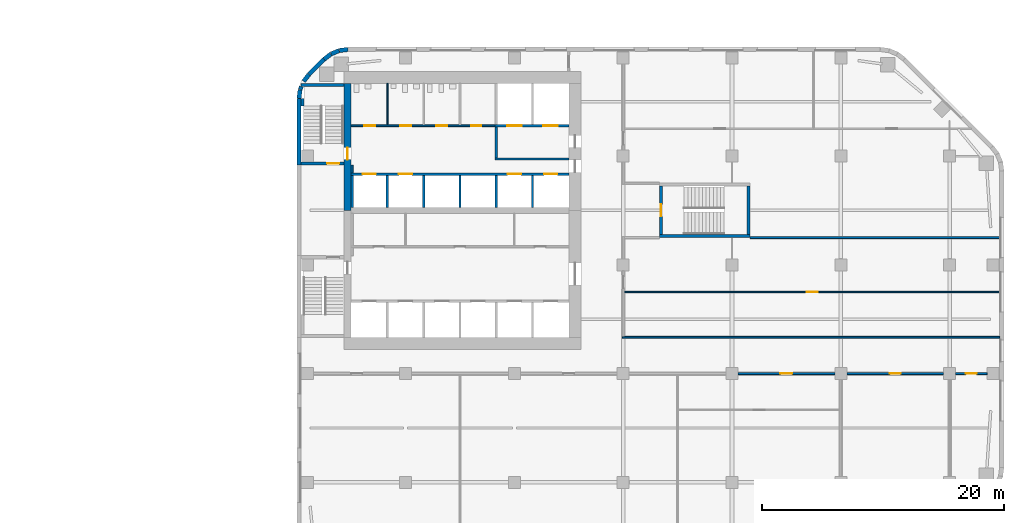
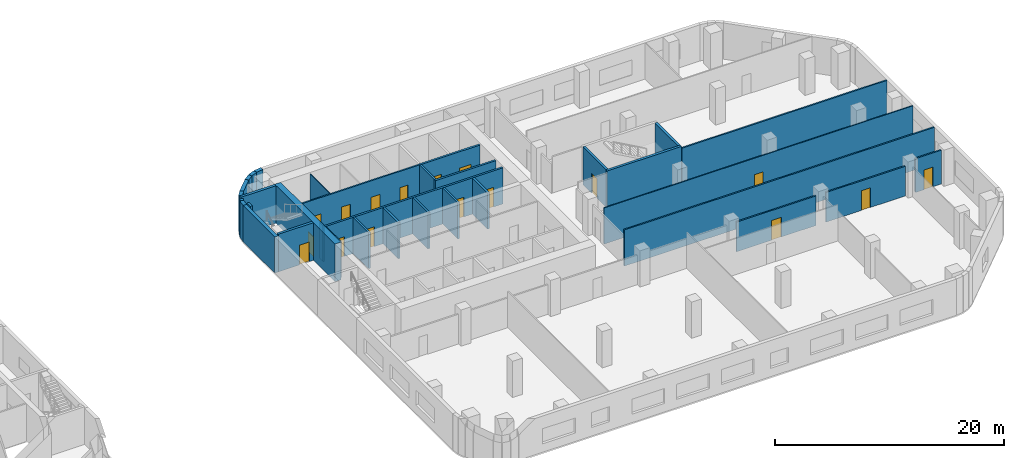
# One storey, part 10 of 15: 34 walls, 17 doors, 17 openings.
"""IFC4 building model written with IfcOpenShell, lengths in metres."""

from ifc_helpers import new_model, si_unit, direction, frame, frame_2d, origin, place, context, subcontext, project, spatial, rectangle, extrude, material, layer, layer_set, type_object, element, fill, save


model = new_model("IFC4")

# Units and contexts
model_context = context("Model", 3, precision=1e-05, world=origin(), true_north=direction((0.0, 1.0)))
body_context = subcontext(model_context, "Body", "Model", "MODEL_VIEW")
ifc_project = project(units=[si_unit("LENGTHUNIT", "METRE"), si_unit("AREAUNIT", "SQUARE_METRE"), si_unit("VOLUMEUNIT", "CUBIC_METRE"), si_unit("PLANEANGLEUNIT", "RADIAN"), si_unit("MASSUNIT", "GRAM", prefix="KILO")], contexts=[model_context])

# Site, building, storey
site_placement = place(None, origin())
site = spatial("IfcSite", under=ifc_project, at=site_placement, CompositionType="ELEMENT")
building_placement = place(site_placement, origin())
building = spatial("IfcBuilding", under=site, at=building_placement, Name="Cinnabar Reach Civic Tower", CompositionType="ELEMENT")
storey_placement = place(building_placement, frame((0.0, 0.0, 51.0)))
storey = spatial("IfcBuildingStorey", under=building, at=storey_placement, Name="L11", CompositionType="ELEMENT", Elevation=51.0)

# Walls
ifc_material_1 = material(Name="Facing brick with insulated backing", Category="masonry")
ifc_layer_1 = layer(ifc_material_1, 0.36)
ifc_layer_set_1 = layer_set([ifc_layer_1], Name="Brick corner wall")
wall_type_1 = type_object("IfcWallType", Name="Brick corner wall", PredefinedType="STANDARD", material=ifc_layer_set_1)
for number, where, z_axis, x_axis, name in (
    (1, (4.2314, 44.817, 0.0), (0.0, 0.0, 1.0), (-0.99144092581, -0.13055608231, 0.0), "Brick corner wall"),
    (2, (3.5027, 44.7181, 0.0), (0.0, 0.0, 1.0), (-0.923871547278, -0.382702709855, 0.0), "Brick corner wall"),
):
    element("IfcWall", number, at=place(storey_placement, frame(where, z_axis=z_axis, x_axis=x_axis)), inside=storey, type_object=wall_type_1, Name=name, PredefinedType="STANDARD", context=body_context, shape_type="SweptSolid", body=[
        extrude(rectangle(XDim=0.7131, YDim=0.36, at=frame_2d((0.3565, 0.0))), origin(), (0.0, 0.0, 1.0), 3.85),
    ])
for number, where, z_axis, x_axis, name in (
    (3, (2.8245, 44.434, 0.0), (0.0, 0.0, 1.0), (-0.793321924995, -0.608802368033, 0.0), "Brick corner wall"),
    (4, (1.0002, 42.7413, 0.0), (0.0, 0.0, 1.0), (-0.608802368033, -0.793321924995, 0.0), "Brick corner wall"),
):
    element("IfcWall", number, at=place(storey_placement, frame(where, z_axis=z_axis, x_axis=x_axis)), inside=storey, type_object=wall_type_1, Name=name, PredefinedType="STANDARD", context=body_context, shape_type="SweptSolid", body=[
        extrude(rectangle(XDim=0.7132, YDim=0.36, at=frame_2d((0.3566, 0.0))), origin(), (0.0, 0.0, 1.0), 3.85),
    ])
wall_1_placement = place(storey_placement, frame((0.3808, 41.736, 0.0), z_axis=(0.0, 0.0, 1.0), x_axis=(-0.382773360986, -0.923842277729, 0.0)))
element("IfcWall", 5, at=wall_1_placement, inside=storey, type_object=wall_type_1, Name="Brick corner wall", PredefinedType="STANDARD", context=body_context, shape_type="SweptSolid", body=[
    extrude(rectangle(XDim=0.2584, YDim=0.36, at=frame_2d((0.1292, 0.0))), origin(), (0.0, 0.0, 1.0), 3.85),
])
wall_2_placement = place(storey_placement, frame((0.2761, 41.4756, 0.0), z_axis=(0.0, 0.0, 1.0), x_axis=(-0.13055608231, -0.99144092581, 0.0)))
element("IfcWall", 6, at=wall_2_placement, inside=storey, type_object=wall_type_1, Name="Brick corner wall", PredefinedType="STANDARD", context=body_context, shape_type="SweptSolid", body=[
    extrude(rectangle(XDim=0.7131, YDim=0.36, at=frame_2d((0.3565, 0.0))), origin(), (0.0, 0.0, 1.0), 3.85),
])
ifc_layer_2 = layer(ifc_material_1, 0.36)
ifc_layer_set_2 = layer_set([ifc_layer_2], Name="Brick pier and spandrel wall")
wall_type_2 = type_object("IfcWallType", Name="Brick pier and spandrel wall", PredefinedType="STANDARD", material=ifc_layer_set_2)
wall_3_placement = place(storey_placement, frame((2.2486, 43.994, 0.0), z_axis=(0.0, 0.0, 1.0), x_axis=(-0.707106781187, -0.707106781187, 0.0)))
element("IfcWall", 7, at=wall_3_placement, inside=storey, type_object=wall_type_2, Name="Brick facade wall", PredefinedType="STANDARD", context=body_context, shape_type="SweptSolid", body=[
    extrude(rectangle(XDim=1.7573, YDim=0.36, at=frame_2d((0.8787, 0.0))), origin(), (0.0, 0.0, 1.0), 3.85),
])
wall_4_placement = place(storey_placement, frame((0.18, 40.7574, 0.0), z_axis=(0.0, 0.0, 1.0), x_axis=(0.0, -1.0, 0.0)))
element("IfcWall", 8, at=wall_4_placement, inside=storey, type_object=wall_type_2, Name="Brick facade wall", PredefinedType="STANDARD", context=body_context, shape_type="SweptSolid", body=[
    extrude(rectangle(XDim=5.5074, YDim=0.36, at=frame_2d((2.7537, 0.0))), origin(), (0.0, 0.0, 1.0), 3.85),
])

# Wall, opening, door
ifc_material_2 = material(Name="Concrete C70", Category="concrete")
ifc_layer_3 = layer(ifc_material_2, 0.6)
ifc_layer_set_3 = layer_set([ifc_layer_3], Name="Core wall 600 EI 180")
wall_type_3 = type_object("IfcWallType", Name="Core wall 600 EI 180", PredefinedType="SOLIDWALL", material=ifc_layer_set_3)
wall_5_placement = place(storey_placement, frame((4.2, 42.0, 0.0), z_axis=(0.0, 0.0, 1.0), x_axis=(0.0, -1.0, 0.0)))
wall_5 = element("IfcWall", 9, at=wall_5_placement, inside=storey, type_object=wall_type_3, Name="Core wall T1 L11 W", PredefinedType="SOLIDWALL", context=body_context, shape_type="SweptSolid", body=[
    extrude(rectangle(XDim=10.5, YDim=0.6, at=frame_2d((5.25, 0.0))), origin(), (0.0, 0.0, 1.0), 4.0),
])
opening_1_placement = place(wall_5_placement, frame((5.3, 0.0, 0.0)))
opening_1 = element("IfcOpeningElement", 10, at=opening_1_placement, cuts=wall_5, Name="Opening D3433", PredefinedType="OPENING", context=body_context, shape_type="SweptSolid", body=[
    extrude(rectangle(XDim=1.0, YDim=2.1, at=frame_2d((0.5, 1.05))), frame((0.0, 0.31, 0.0), z_axis=(0.0, -1.0, 0.0), x_axis=(1.0, 0.0, 0.0)), (0.0, 0.0, 1.0), 0.62),
])
ifc_material_3 = material(Name="Timber door leaf in steel frame", Category="steel")
door_type_1 = type_object("IfcDoorType", Name="Stair door 1000 x 2100 T1", OperationType="SINGLE_SWING_LEFT", PredefinedType="DOOR", material=ifc_material_3)
door_1_placement = place(opening_1_placement, frame((1.0, 0.0, 0.0), z_axis=(0.0, 0.0, 1.0), x_axis=(-1.0, 0.0, 0.0)))
door_1 = element("IfcDoor", 11, at=door_1_placement, inside=storey, type_object=door_type_1, Name="Door D3433", OperationType="SINGLE_SWING_LEFT", OverallHeight=2.1, OverallWidth=1.0, PredefinedType="DOOR", context=body_context, shape_type="SweptSolid", body=[
    extrude(rectangle(XDim=1.0, YDim=2.1, at=frame_2d((0.5, 1.05))), frame((0.0, 0.025, 0.0), z_axis=(0.0, -1.0, 0.0), x_axis=(1.0, 0.0, 0.0)), (0.0, 0.0, 1.0), 0.05),
])
fill(opening_1, door_1)

ifc_material_4 = material(Name="Gypsum board on steel studs, double layer", Category="steel")
ifc_layer_4 = layer(ifc_material_4, 0.15)
ifc_layer_set_4 = layer_set([ifc_layer_4], Name="Corridor wall 150 T1")
wall_type_4 = type_object("IfcWallType", Name="Corridor wall 150 T1", PredefinedType="PARTITIONING", material=ifc_layer_set_4)
wall_6_placement = place(storey_placement, frame((54.5, 18.0, 0.0), z_axis=(0.0, 0.0, 1.0), x_axis=(1.0, 0.0, 0.0)))
wall_6 = element("IfcWall", 12, at=wall_6_placement, inside=storey, type_object=wall_type_4, Name="Corridor wall 19", PredefinedType="PARTITIONING", context=body_context, shape_type="SweptSolid", body=[
    extrude(rectangle(XDim=2.6, YDim=0.15, at=frame_2d((1.3, 0.0))), origin(), (0.0, 0.0, 1.0), 3.602),
])
opening_2_placement = place(wall_6_placement, frame((0.85, 0.0, 0.0)))
opening_2 = element("IfcOpeningElement", 13, at=opening_2_placement, cuts=wall_6, Name="Opening D3468", PredefinedType="OPENING", context=body_context, shape_type="SweptSolid", body=[
    extrude(rectangle(XDim=0.9, YDim=2.1, at=frame_2d((0.45, 1.05))), frame((0.0, 0.085, 0.0), z_axis=(0.0, -1.0, 0.0), x_axis=(1.0, 0.0, 0.0)), (0.0, 0.0, 1.0), 0.17),
])
door_type_2 = type_object("IfcDoorType", Name="Single swing door 900 x 2100 corridor T1", OperationType="SINGLE_SWING_LEFT", PredefinedType="DOOR", material=ifc_material_3)
door_2_placement = place(opening_2_placement, frame((0.9, 0.0, 0.0), z_axis=(0.0, 0.0, 1.0), x_axis=(-1.0, 0.0, 0.0)))
door_2 = element("IfcDoor", 14, at=door_2_placement, inside=storey, type_object=door_type_2, Name="Door D3468", OperationType="SINGLE_SWING_LEFT", OverallHeight=2.1, OverallWidth=0.9, PredefinedType="DOOR", context=body_context, shape_type="SweptSolid", body=[
    extrude(rectangle(XDim=0.9, YDim=2.1, at=frame_2d((0.45, 1.05))), frame((0.0, 0.025, 0.0), z_axis=(0.0, -1.0, 0.0), x_axis=(1.0, 0.0, 0.0)), (0.0, 0.0, 1.0), 0.05),
])
fill(opening_2, door_2)

wall_7_placement = place(storey_placement, frame((45.5, 18.0, 0.0), z_axis=(0.0, 0.0, 1.0), x_axis=(1.0, 0.0, 0.0)))
wall_7 = element("IfcWall", 15, at=wall_7_placement, inside=storey, type_object=wall_type_4, Name="Corridor wall 20", PredefinedType="PARTITIONING", context=body_context, shape_type="SweptSolid", body=[
    extrude(rectangle(XDim=8.0, YDim=0.15, at=frame_2d((4.0, 0.0))), origin(), (0.0, 0.0, 1.0), 3.15),
])
opening_3_placement = place(wall_7_placement, frame((3.55, 0.0, 0.0)))
opening_3 = element("IfcOpeningElement", 16, at=opening_3_placement, cuts=wall_7, Name="Opening D3467", PredefinedType="OPENING", context=body_context, shape_type="SweptSolid", body=[
    extrude(rectangle(XDim=0.9, YDim=2.1, at=frame_2d((0.45, 1.05))), frame((0.0, 0.085, 0.0), z_axis=(0.0, -1.0, 0.0), x_axis=(1.0, 0.0, 0.0)), (0.0, 0.0, 1.0), 0.17),
])
door_3_placement = place(opening_3_placement, frame((0.9, 0.0, 0.0), z_axis=(0.0, 0.0, 1.0), x_axis=(-1.0, 0.0, 0.0)))
door_3 = element("IfcDoor", 17, at=door_3_placement, inside=storey, type_object=door_type_2, Name="Door D3467", OperationType="SINGLE_SWING_LEFT", OverallHeight=2.1, OverallWidth=0.9, PredefinedType="DOOR", context=body_context, shape_type="SweptSolid", body=[
    extrude(rectangle(XDim=0.9, YDim=2.1, at=frame_2d((0.45, 1.05))), frame((0.0, 0.025, 0.0), z_axis=(0.0, -1.0, 0.0), x_axis=(1.0, 0.0, 0.0)), (0.0, 0.0, 1.0), 0.05),
])
fill(opening_3, door_3)

wall_8_placement = place(storey_placement, frame((36.5, 18.0, 0.0), z_axis=(0.0, 0.0, 1.0), x_axis=(1.0, 0.0, 0.0)))
wall_8 = element("IfcWall", 18, at=wall_8_placement, inside=storey, type_object=wall_type_4, Name="Corridor wall 21", PredefinedType="PARTITIONING", context=body_context, shape_type="SweptSolid", body=[
    extrude(rectangle(XDim=8.0, YDim=0.15, at=frame_2d((4.0, 0.0))), origin(), (0.0, 0.0, 1.0), 3.15),
])
opening_4_placement = place(wall_8_placement, frame((3.5, 0.0, 0.0)))
opening_4 = element("IfcOpeningElement", 19, at=opening_4_placement, cuts=wall_8, Name="Opening D3465", PredefinedType="OPENING", context=body_context, shape_type="SweptSolid", body=[
    extrude(rectangle(XDim=1.0, YDim=2.1, at=frame_2d((0.5, 1.05))), frame((0.0, 0.085, 0.0), z_axis=(0.0, -1.0, 0.0), x_axis=(1.0, 0.0, 0.0)), (0.0, 0.0, 1.0), 0.17),
])
door_type_3 = type_object("IfcDoorType", Name="Tenancy entrance door 1000 x 2100 T1", OperationType="SINGLE_SWING_LEFT", PredefinedType="DOOR", material=ifc_material_3)
door_4_placement = place(opening_4_placement, frame((1.0, 0.0, 0.0), z_axis=(0.0, 0.0, 1.0), x_axis=(-1.0, 0.0, 0.0)))
door_4 = element("IfcDoor", 20, at=door_4_placement, inside=storey, type_object=door_type_3, Name="Door D3465", OperationType="SINGLE_SWING_RIGHT", OverallHeight=2.1, OverallWidth=1.0, PredefinedType="DOOR", context=body_context, shape_type="SweptSolid", body=[
    extrude(rectangle(XDim=1.0, YDim=2.1, at=frame_2d((0.5, 1.05))), frame((0.0, 0.025, 0.0), z_axis=(0.0, -1.0, 0.0), x_axis=(1.0, 0.0, 0.0)), (0.0, 0.0, 1.0), 0.05),
])
fill(opening_4, door_4)

# Wall
wall_9_placement = place(storey_placement, frame((26.925, 21.0, 0.0), z_axis=(0.0, 0.0, 1.0), x_axis=(1.0, 0.0, 0.0)))
element("IfcWall", 21, at=wall_9_placement, inside=storey, type_object=wall_type_4, Name="Corridor wall 26", PredefinedType="PARTITIONING", context=body_context, shape_type="SweptSolid", body=[
    extrude(rectangle(XDim=31.215, YDim=0.15, at=frame_2d((15.6075, 0.0))), origin(), (0.0, 0.0, 1.0), 3.85),
])

# Wall, openings, doors
wall_10_placement = place(storey_placement, frame((4.5, 38.5, 0.0), z_axis=(0.0, 0.0, 1.0), x_axis=(1.0, 0.0, 0.0)))
wall_10 = element("IfcWall", 22, at=wall_10_placement, inside=storey, type_object=wall_type_4, Name="Corridor wall 28", PredefinedType="PARTITIONING", context=body_context, shape_type="SweptSolid", body=[
    extrude(rectangle(XDim=11.9, YDim=0.15, at=frame_2d((5.95, 0.0))), origin(), (0.0, 0.0, 1.0), 3.85),
])
opening_5_placement = place(wall_10_placement, frame((1.1, 0.0, 0.0)))
opening_5 = element("IfcOpeningElement", 23, at=opening_5_placement, cuts=wall_10, Name="Opening D3454", PredefinedType="OPENING", context=body_context, shape_type="SweptSolid", body=[
    extrude(rectangle(XDim=0.9, YDim=2.1, at=frame_2d((0.45, 1.05))), frame((0.0, 0.085, 0.0), z_axis=(0.0, -1.0, 0.0), x_axis=(1.0, 0.0, 0.0)), (0.0, 0.0, 1.0), 0.17),
])
opening_6_placement = place(wall_10_placement, frame((4.05, 0.0, 0.0)))
opening_6 = element("IfcOpeningElement", 24, at=opening_6_placement, cuts=wall_10, Name="Opening D3455", PredefinedType="OPENING", context=body_context, shape_type="SweptSolid", body=[
    extrude(rectangle(XDim=0.9, YDim=2.1, at=frame_2d((0.45, 1.05))), frame((0.0, 0.085, 0.0), z_axis=(0.0, -1.0, 0.0), x_axis=(1.0, 0.0, 0.0)), (0.0, 0.0, 1.0), 0.17),
])
opening_7_placement = place(wall_10_placement, frame((7.05, 0.0, 0.0)))
opening_7 = element("IfcOpeningElement", 25, at=opening_7_placement, cuts=wall_10, Name="Opening D3456", PredefinedType="OPENING", context=body_context, shape_type="SweptSolid", body=[
    extrude(rectangle(XDim=0.9, YDim=2.1, at=frame_2d((0.45, 1.05))), frame((0.0, 0.085, 0.0), z_axis=(0.0, -1.0, 0.0), x_axis=(1.0, 0.0, 0.0)), (0.0, 0.0, 1.0), 0.17),
])
opening_8_placement = place(wall_10_placement, frame((9.95, 0.0, 0.0)))
opening_8 = element("IfcOpeningElement", 26, at=opening_8_placement, cuts=wall_10, Name="Opening D3457", PredefinedType="OPENING", context=body_context, shape_type="SweptSolid", body=[
    extrude(rectangle(XDim=0.8, YDim=2.1, at=frame_2d((0.4, 1.05))), frame((0.0, 0.085, 0.0), z_axis=(0.0, -1.0, 0.0), x_axis=(1.0, 0.0, 0.0)), (0.0, 0.0, 1.0), 0.17),
])
door_type_4 = type_object("IfcDoorType", Name="Riser access door 800 x 2100 T1", OperationType="SINGLE_SWING_LEFT", PredefinedType="DOOR", material=ifc_material_3)
door_5_placement = place(opening_8_placement, origin())
door_5 = element("IfcDoor", 27, at=door_5_placement, inside=storey, type_object=door_type_4, Name="Door D3457", OperationType="SINGLE_SWING_RIGHT", OverallHeight=2.1, OverallWidth=0.8, PredefinedType="DOOR", context=body_context, shape_type="SweptSolid", body=[
    extrude(rectangle(XDim=0.8, YDim=2.1, at=frame_2d((0.4, 1.05))), frame((0.0, 0.025, 0.0), z_axis=(0.0, -1.0, 0.0), x_axis=(1.0, 0.0, 0.0)), (0.0, 0.0, 1.0), 0.05),
])
fill(opening_8, door_5)
door_6_placement = place(opening_5_placement, origin())
door_6 = element("IfcDoor", 28, at=door_6_placement, inside=storey, type_object=door_type_2, Name="Door D3454", OperationType="SINGLE_SWING_RIGHT", OverallHeight=2.1, OverallWidth=0.9, PredefinedType="DOOR", context=body_context, shape_type="SweptSolid", body=[
    extrude(rectangle(XDim=0.9, YDim=2.1, at=frame_2d((0.45, 1.05))), frame((0.0, 0.025, 0.0), z_axis=(0.0, -1.0, 0.0), x_axis=(1.0, 0.0, 0.0)), (0.0, 0.0, 1.0), 0.05),
])
fill(opening_5, door_6)
door_7_placement = place(opening_6_placement, origin())
door_7 = element("IfcDoor", 29, at=door_7_placement, inside=storey, type_object=door_type_2, Name="Door D3455", OperationType="SINGLE_SWING_RIGHT", OverallHeight=2.1, OverallWidth=0.9, PredefinedType="DOOR", context=body_context, shape_type="SweptSolid", body=[
    extrude(rectangle(XDim=0.9, YDim=2.1, at=frame_2d((0.45, 1.05))), frame((0.0, 0.025, 0.0), z_axis=(0.0, -1.0, 0.0), x_axis=(1.0, 0.0, 0.0)), (0.0, 0.0, 1.0), 0.05),
])
fill(opening_6, door_7)
door_8_placement = place(opening_7_placement, origin())
door_8 = element("IfcDoor", 30, at=door_8_placement, inside=storey, type_object=door_type_2, Name="Door D3456", OperationType="SINGLE_SWING_LEFT", OverallHeight=2.1, OverallWidth=0.9, PredefinedType="DOOR", context=body_context, shape_type="SweptSolid", body=[
    extrude(rectangle(XDim=0.9, YDim=2.1, at=frame_2d((0.45, 1.05))), frame((0.0, 0.025, 0.0), z_axis=(0.0, -1.0, 0.0), x_axis=(1.0, 0.0, 0.0)), (0.0, 0.0, 1.0), 0.05),
])
fill(opening_7, door_8)

# Wall
wall_11_placement = place(storey_placement, frame((4.575, 34.6, 0.0), z_axis=(0.0, 0.0, 1.0), x_axis=(0.0, 1.0, 0.0)))
element("IfcWall", 31, at=wall_11_placement, inside=storey, type_object=wall_type_4, Name="Corridor wall 38", PredefinedType="PARTITIONING", context=body_context, shape_type="SweptSolid", body=[
    extrude(rectangle(XDim=0.65, YDim=0.15, at=frame_2d((0.325, 0.0))), origin(), (0.0, 0.0, 1.0), 3.85),
])

# Wall, openings, doors
ifc_material_5 = material(Name="Blockwork", Category="masonry")
ifc_layer_5 = layer(ifc_material_5, 0.2)
ifc_layer_set_5 = layer_set([ifc_layer_5], Name="Lift shaft wall 200 T1")
wall_type_5 = type_object("IfcWallType", Name="Lift shaft wall 200 T1", PredefinedType="PARTITIONING", material=ifc_layer_set_5)
wall_12_placement = place(storey_placement, frame((4.5, 34.5, 0.0), z_axis=(0.0, 0.0, 1.0), x_axis=(1.0, 0.0, 0.0)))
wall_12 = element("IfcWall", 32, at=wall_12_placement, inside=storey, type_object=wall_type_5, Name="Lift shaft wall 5", PredefinedType="PARTITIONING", context=body_context, shape_type="SweptSolid", body=[
    extrude(rectangle(XDim=18.0, YDim=0.2, at=frame_2d((9.0, 0.0))), origin(), (0.0, 0.0, 1.0), 3.85),
])
opening_9_placement = place(wall_12_placement, frame((0.95, 0.0, 0.0)))
opening_9 = element("IfcOpeningElement", 33, at=opening_9_placement, cuts=wall_12, Name="Opening D3441", PredefinedType="OPENING", context=body_context, shape_type="SweptSolid", body=[
    extrude(rectangle(XDim=1.1, YDim=2.1, at=frame_2d((0.55, 1.05))), frame((0.0, 0.11, 0.0), z_axis=(0.0, -1.0, 0.0), x_axis=(1.0, 0.0, 0.0)), (0.0, 0.0, 1.0), 0.22),
])
opening_10_placement = place(wall_12_placement, frame((3.95, 0.0, 0.0)))
opening_10 = element("IfcOpeningElement", 34, at=opening_10_placement, cuts=wall_12, Name="Opening D3442", PredefinedType="OPENING", context=body_context, shape_type="SweptSolid", body=[
    extrude(rectangle(XDim=1.1, YDim=2.1, at=frame_2d((0.55, 1.05))), frame((0.0, 0.11, 0.0), z_axis=(0.0, -1.0, 0.0), x_axis=(1.0, 0.0, 0.0)), (0.0, 0.0, 1.0), 0.22),
])
opening_11_placement = place(wall_12_placement, frame((12.95, 0.0, 0.0)))
opening_11 = element("IfcOpeningElement", 35, at=opening_11_placement, cuts=wall_12, Name="Opening D3443", PredefinedType="OPENING", context=body_context, shape_type="SweptSolid", body=[
    extrude(rectangle(XDim=1.1, YDim=2.1, at=frame_2d((0.55, 1.05))), frame((0.0, 0.11, 0.0), z_axis=(0.0, -1.0, 0.0), x_axis=(1.0, 0.0, 0.0)), (0.0, 0.0, 1.0), 0.22),
])
opening_12_placement = place(wall_12_placement, frame((15.95, 0.0, 0.0)))
opening_12 = element("IfcOpeningElement", 36, at=opening_12_placement, cuts=wall_12, Name="Opening D3444", PredefinedType="OPENING", context=body_context, shape_type="SweptSolid", body=[
    extrude(rectangle(XDim=1.1, YDim=2.1, at=frame_2d((0.55, 1.05))), frame((0.0, 0.11, 0.0), z_axis=(0.0, -1.0, 0.0), x_axis=(1.0, 0.0, 0.0)), (0.0, 0.0, 1.0), 0.22),
])
ifc_material_6 = material(Name="Stainless steel sliding door", Category="steel")
door_type_5 = type_object("IfcDoorType", Name="Lift landing door 1100 x 2100 T1", OperationType="SLIDING_TO_LEFT", PredefinedType="DOOR", material=ifc_material_6)
door_9_placement = place(opening_9_placement, origin())
door_9 = element("IfcDoor", 37, at=door_9_placement, inside=storey, type_object=door_type_5, Name="Lift landing door SH1 L11", OperationType="SLIDING_TO_LEFT", OverallHeight=2.1, OverallWidth=1.1, PredefinedType="DOOR", context=body_context, shape_type="SweptSolid", body=[
    extrude(rectangle(XDim=1.1, YDim=2.1, at=frame_2d((0.55, 1.05))), frame((0.0, 0.025, 0.0), z_axis=(0.0, -1.0, 0.0), x_axis=(1.0, 0.0, 0.0)), (0.0, 0.0, 1.0), 0.05),
])
fill(opening_9, door_9)
door_10_placement = place(opening_10_placement, origin())
door_10 = element("IfcDoor", 38, at=door_10_placement, inside=storey, type_object=door_type_5, Name="Lift landing door SH2 L11", OperationType="SLIDING_TO_LEFT", OverallHeight=2.1, OverallWidth=1.1, PredefinedType="DOOR", context=body_context, shape_type="SweptSolid", body=[
    extrude(rectangle(XDim=1.1, YDim=2.1, at=frame_2d((0.55, 1.05))), frame((0.0, 0.025, 0.0), z_axis=(0.0, -1.0, 0.0), x_axis=(1.0, 0.0, 0.0)), (0.0, 0.0, 1.0), 0.05),
])
fill(opening_10, door_10)
door_11_placement = place(opening_11_placement, origin())
door_11 = element("IfcDoor", 39, at=door_11_placement, inside=storey, type_object=door_type_5, Name="Lift landing door SV1 L11", OperationType="SLIDING_TO_LEFT", OverallHeight=2.1, OverallWidth=1.1, PredefinedType="DOOR", context=body_context, shape_type="SweptSolid", body=[
    extrude(rectangle(XDim=1.1, YDim=2.1, at=frame_2d((0.55, 1.05))), frame((0.0, 0.025, 0.0), z_axis=(0.0, -1.0, 0.0), x_axis=(1.0, 0.0, 0.0)), (0.0, 0.0, 1.0), 0.05),
])
fill(opening_11, door_11)
door_12_placement = place(opening_12_placement, origin())
door_12 = element("IfcDoor", 40, at=door_12_placement, inside=storey, type_object=door_type_5, Name="Lift landing door SV2 L11", OperationType="SLIDING_TO_LEFT", OverallHeight=2.1, OverallWidth=1.1, PredefinedType="DOOR", context=body_context, shape_type="SweptSolid", body=[
    extrude(rectangle(XDim=1.1, YDim=2.1, at=frame_2d((0.55, 1.05))), frame((0.0, 0.025, 0.0), z_axis=(0.0, -1.0, 0.0), x_axis=(1.0, 0.0, 0.0)), (0.0, 0.0, 1.0), 0.05),
])
fill(opening_12, door_12)

# Walls
for number, where, z_axis, x_axis, name in (
    (41, (4.6, 31.75, 0.0), (0.0, 0.0, 1.0), (0.0, 1.0, 0.0), "Lift shaft wall 8"),
    (42, (7.5, 31.75, 0.0), (0.0, 0.0, 1.0), (0.0, 1.0, 0.0), "Lift shaft wall 10"),
    (43, (10.5, 31.75, 0.0), (0.0, 0.0, 1.0), (0.0, 1.0, 0.0), "Lift shaft wall 12"),
    (44, (13.5, 31.75, 0.0), (0.0, 0.0, 1.0), (0.0, 1.0, 0.0), "Lift shaft wall 14"),
    (45, (16.5, 31.75, 0.0), (0.0, 0.0, 1.0), (0.0, 1.0, 0.0), "Lift shaft wall 16"),
    (46, (19.5, 31.75, 0.0), (0.0, 0.0, 1.0), (0.0, 1.0, 0.0), "Lift shaft wall 18"),
):
    element("IfcWall", number, at=place(storey_placement, frame(where, z_axis=z_axis, x_axis=x_axis)), inside=storey, type_object=wall_type_5, Name=name, PredefinedType="PARTITIONING", context=body_context, shape_type="SweptSolid", body=[
        extrude(rectangle(XDim=2.65, YDim=0.2, at=frame_2d((1.325, 0.0))), origin(), (0.0, 0.0, 1.0), 3.85),
    ])

# Wall, opening, door
ifc_material_7 = material(Name="Gypsum board on steel studs", Category="steel")
ifc_layer_6 = layer(ifc_material_7, 0.1)
ifc_layer_set_6 = layer_set([ifc_layer_6], Name="Partition wall 100 T1")
wall_type_6 = type_object("IfcWallType", Name="Partition wall 100 T1", PredefinedType="PARTITIONING", material=ifc_layer_set_6)
wall_13_placement = place(storey_placement, frame((27.075, 24.75, 0.0), z_axis=(0.0, 0.0, 1.0), x_axis=(1.0, 0.0, 0.0)))
wall_13 = element("IfcWall", 47, at=wall_13_placement, inside=storey, type_object=wall_type_6, Name="Partition wall 41", PredefinedType="PARTITIONING", context=body_context, shape_type="SweptSolid", body=[
    extrude(rectangle(XDim=31.065, YDim=0.1, at=frame_2d((15.5325, 0.0))), origin(), (0.0, 0.0, 1.0), 3.85),
])
opening_13_placement = place(wall_13_placement, frame((15.1, 0.0, 0.0)))
opening_13 = element("IfcOpeningElement", 48, at=opening_13_placement, cuts=wall_13, Name="Opening D3462", PredefinedType="OPENING", context=body_context, shape_type="SweptSolid", body=[
    extrude(rectangle(XDim=0.9, YDim=2.1, at=frame_2d((0.45, 1.05))), frame((0.0, 0.06, 0.0), z_axis=(0.0, -1.0, 0.0), x_axis=(1.0, 0.0, 0.0)), (0.0, 0.0, 1.0), 0.12),
])
door_type_6 = type_object("IfcDoorType", Name="Single swing door 900 x 2100 T1", OperationType="SINGLE_SWING_LEFT", PredefinedType="DOOR", material=ifc_material_3)
door_13_placement = place(opening_13_placement, frame((0.9, 0.0, 0.0), z_axis=(0.0, 0.0, 1.0), x_axis=(-1.0, 0.0, 0.0)))
door_13 = element("IfcDoor", 49, at=door_13_placement, inside=storey, type_object=door_type_6, Name="Door D3462", OperationType="SINGLE_SWING_LEFT", OverallHeight=2.1, OverallWidth=0.9, PredefinedType="DOOR", context=body_context, shape_type="SweptSolid", body=[
    extrude(rectangle(XDim=0.9, YDim=2.1, at=frame_2d((0.45, 1.05))), frame((0.0, 0.025, 0.0), z_axis=(0.0, -1.0, 0.0), x_axis=(1.0, 0.0, 0.0)), (0.0, 0.0, 1.0), 0.05),
])
fill(opening_13, door_13)

# Walls
wall_14_placement = place(storey_placement, frame((7.5, 38.575, 0.0), z_axis=(0.0, 0.0, 1.0), x_axis=(0.0, 1.0, 0.0)))
element("IfcWall", 50, at=wall_14_placement, inside=storey, type_object=wall_type_6, Name="Partition wall 51", PredefinedType="PARTITIONING", context=body_context, shape_type="SweptSolid", body=[
    extrude(rectangle(XDim=3.425, YDim=0.1, at=frame_2d((1.7125, 0.0))), origin(), (0.0, 0.0, 1.0), 3.85),
])
ifc_material_8 = material(Name="Concrete C40", Category="concrete")
ifc_layer_7 = layer(ifc_material_8, 0.2)
ifc_layer_set_7 = layer_set([ifc_layer_7], Name="Refuge compartment wall 200 T1")
wall_type_7 = type_object("IfcWallType", Name="Refuge compartment wall 200 T1", PredefinedType="PARTITIONING", material=ifc_layer_set_7)
wall_15_placement = place(storey_placement, frame((16.4, 35.75, 0.0), z_axis=(0.0, 0.0, 1.0), x_axis=(1.0, 0.0, 0.0)))
element("IfcWall", 51, at=wall_15_placement, inside=storey, type_object=wall_type_7, Name="Refuge compartment wall 1", PredefinedType="PARTITIONING", context=body_context, shape_type="SweptSolid", body=[
    extrude(rectangle(XDim=6.1, YDim=0.2, at=frame_2d((3.05, 0.0))), origin(), (0.0, 0.0, 1.0), 3.85),
])

# Wall, openings, doors
wall_16_placement = place(storey_placement, frame((16.4, 38.5, 0.0), z_axis=(0.0, 0.0, 1.0), x_axis=(1.0, 0.0, 0.0)))
wall_16 = element("IfcWall", 52, at=wall_16_placement, inside=storey, type_object=wall_type_7, Name="Refuge compartment wall 2", PredefinedType="PARTITIONING", context=body_context, shape_type="SweptSolid", body=[
    extrude(rectangle(XDim=6.1, YDim=0.2, at=frame_2d((3.05, 0.0))), origin(), (0.0, 0.0, 1.0), 3.85),
])
opening_14_placement = place(wall_16_placement, frame((1.0, 0.0, 0.0)))
opening_14 = element("IfcOpeningElement", 53, at=opening_14_placement, cuts=wall_16, Name="Opening D3445", PredefinedType="OPENING", context=body_context, shape_type="SweptSolid", body=[
    extrude(rectangle(XDim=1.2, YDim=2.1, at=frame_2d((0.6, 1.05))), frame((0.0, 0.11, 0.0), z_axis=(0.0, -1.0, 0.0), x_axis=(1.0, 0.0, 0.0)), (0.0, 0.0, 1.0), 0.22),
])
opening_15_placement = place(wall_16_placement, frame((4.0, 0.0, 0.0)))
opening_15 = element("IfcOpeningElement", 54, at=opening_15_placement, cuts=wall_16, Name="Opening D3446", PredefinedType="OPENING", context=body_context, shape_type="SweptSolid", body=[
    extrude(rectangle(XDim=1.2, YDim=2.1, at=frame_2d((0.6, 1.05))), frame((0.0, 0.11, 0.0), z_axis=(0.0, -1.0, 0.0), x_axis=(1.0, 0.0, 0.0)), (0.0, 0.0, 1.0), 0.22),
])
door_type_7 = type_object("IfcDoorType", Name="Firefighting lift landing door 1200 x 2100 T1", OperationType="SLIDING_TO_LEFT", PredefinedType="DOOR", material=ifc_material_6)
door_14_placement = place(opening_14_placement, origin())
door_14 = element("IfcDoor", 55, at=door_14_placement, inside=storey, type_object=door_type_7, Name="Lift landing door FF1 L11", OperationType="SLIDING_TO_LEFT", OverallHeight=2.1, OverallWidth=1.2, PredefinedType="DOOR", context=body_context, shape_type="SweptSolid", body=[
    extrude(rectangle(XDim=1.2, YDim=2.1, at=frame_2d((0.6, 1.05))), frame((0.0, 0.025, 0.0), z_axis=(0.0, -1.0, 0.0), x_axis=(1.0, 0.0, 0.0)), (0.0, 0.0, 1.0), 0.05),
])
fill(opening_14, door_14)
door_15_placement = place(opening_15_placement, origin())
door_15 = element("IfcDoor", 56, at=door_15_placement, inside=storey, type_object=door_type_7, Name="Lift landing door FF2 L11", OperationType="SLIDING_TO_LEFT", OverallHeight=2.1, OverallWidth=1.2, PredefinedType="DOOR", context=body_context, shape_type="SweptSolid", body=[
    extrude(rectangle(XDim=1.2, YDim=2.1, at=frame_2d((0.6, 1.05))), frame((0.0, 0.025, 0.0), z_axis=(0.0, -1.0, 0.0), x_axis=(1.0, 0.0, 0.0)), (0.0, 0.0, 1.0), 0.05),
])
fill(opening_15, door_15)

# Wall
wall_17_placement = place(storey_placement, frame((16.5, 35.85, 0.0), z_axis=(0.0, 0.0, 1.0), x_axis=(0.0, 1.0, 0.0)))
element("IfcWall", 57, at=wall_17_placement, inside=storey, type_object=wall_type_7, Name="Refuge compartment wall 3", PredefinedType="PARTITIONING", context=body_context, shape_type="SweptSolid", body=[
    extrude(rectangle(XDim=2.55, YDim=0.2, at=frame_2d((1.275, 0.0))), origin(), (0.0, 0.0, 1.0), 3.85),
])

# Wall, opening, door
ifc_material_9 = material(Name="Concrete C60", Category="concrete")
ifc_layer_8 = layer(ifc_material_9, 0.25)
ifc_layer_set_8 = layer_set([ifc_layer_8], Name="Stair shaft wall 250 EI 120")
wall_type_8 = type_object("IfcWallType", Name="Stair shaft wall 250 EI 120", PredefinedType="SOLIDWALL", material=ifc_layer_set_8)
wall_18_placement = place(storey_placement, frame((0.36, 35.375, 0.0), z_axis=(0.0, 0.0, 1.0), x_axis=(1.0, 0.0, 0.0)))
wall_18 = element("IfcWall", 58, at=wall_18_placement, inside=storey, type_object=wall_type_8, Name="Stair shaft wall T1-S2 L11", PredefinedType="SOLIDWALL", context=body_context, shape_type="SweptSolid", body=[
    extrude(rectangle(XDim=3.54, YDim=0.25, at=frame_2d((1.77, 0.0))), origin(), (0.0, 0.0, 1.0), 4.0),
])
opening_16_placement = place(wall_18_placement, frame((2.14, 0.0, 0.0)))
opening_16 = element("IfcOpeningElement", 59, at=opening_16_placement, cuts=wall_18, Name="Opening D3434", PredefinedType="OPENING", context=body_context, shape_type="SweptSolid", body=[
    extrude(rectangle(XDim=1.0, YDim=2.1, at=frame_2d((0.5, 1.05))), frame((0.0, 0.135, 0.0), z_axis=(0.0, -1.0, 0.0), x_axis=(1.0, 0.0, 0.0)), (0.0, 0.0, 1.0), 0.27),
])
door_16_placement = place(opening_16_placement, origin())
door_16 = element("IfcDoor", 60, at=door_16_placement, inside=storey, type_object=door_type_1, Name="Door D3434", OperationType="SINGLE_SWING_RIGHT", OverallHeight=2.1, OverallWidth=1.0, PredefinedType="DOOR", context=body_context, shape_type="SweptSolid", body=[
    extrude(rectangle(XDim=1.0, YDim=2.1, at=frame_2d((0.5, 1.05))), frame((0.0, 0.025, 0.0), z_axis=(0.0, -1.0, 0.0), x_axis=(1.0, 0.0, 0.0)), (0.0, 0.0, 1.0), 0.05),
])
fill(opening_16, door_16)

# Walls
wall_19_placement = place(storey_placement, frame((3.9, 41.875, 0.0), z_axis=(0.0, 0.0, 1.0), x_axis=(-1.0, 0.0, 0.0)))
element("IfcWall", 61, at=wall_19_placement, inside=storey, type_object=wall_type_8, Name="Stair shaft wall T1-S2 L11", PredefinedType="SOLIDWALL", context=body_context, shape_type="SweptSolid", body=[
    extrude(rectangle(XDim=3.54, YDim=0.25, at=frame_2d((1.77, 0.0))), origin(), (0.0, 0.0, 1.0), 4.0),
])
wall_20_placement = place(storey_placement, frame((30.0, 29.375, 0.0), z_axis=(0.0, 0.0, 1.0), x_axis=(1.0, 0.0, 0.0)))
element("IfcWall", 62, at=wall_20_placement, inside=storey, type_object=wall_type_8, Name="Stair shaft wall T1-S3 L11", PredefinedType="SOLIDWALL", context=body_context, shape_type="SweptSolid", body=[
    extrude(rectangle(XDim=7.5, YDim=0.25, at=frame_2d((3.75, 0.0))), origin(), (0.0, 0.0, 1.0), 4.0),
])
wall_21_placement = place(storey_placement, frame((37.375, 29.5, 0.0), z_axis=(0.0, 0.0, 1.0), x_axis=(0.0, 1.0, 0.0)))
element("IfcWall", 63, at=wall_21_placement, inside=storey, type_object=wall_type_8, Name="Stair shaft wall T1-S3 L11", PredefinedType="SOLIDWALL", context=body_context, shape_type="SweptSolid", body=[
    extrude(rectangle(XDim=4.0, YDim=0.25, at=frame_2d((2.0, 0.0))), origin(), (0.0, 0.0, 1.0), 4.0),
])

# Wall, opening, door
wall_22_placement = place(storey_placement, frame((30.125, 33.5, 0.0), z_axis=(0.0, 0.0, 1.0), x_axis=(0.0, -1.0, 0.0)))
wall_22 = element("IfcWall", 64, at=wall_22_placement, inside=storey, type_object=wall_type_8, Name="Stair shaft wall T1-S3 L11", PredefinedType="SOLIDWALL", context=body_context, shape_type="SweptSolid", body=[
    extrude(rectangle(XDim=4.0, YDim=0.25, at=frame_2d((2.0, 0.0))), origin(), (0.0, 0.0, 1.0), 4.0),
])
opening_17_placement = place(wall_22_placement, frame((1.5, 0.0, 0.0)))
opening_17 = element("IfcOpeningElement", 65, at=opening_17_placement, cuts=wall_22, Name="Opening D3450", PredefinedType="OPENING", context=body_context, shape_type="SweptSolid", body=[
    extrude(rectangle(XDim=1.0, YDim=2.1, at=frame_2d((0.5, 1.05))), frame((0.0, 0.135, 0.0), z_axis=(0.0, -1.0, 0.0), x_axis=(1.0, 0.0, 0.0)), (0.0, 0.0, 1.0), 0.27),
])
door_17_placement = place(opening_17_placement, origin())
door_17 = element("IfcDoor", 66, at=door_17_placement, inside=storey, type_object=door_type_1, Name="Door D3450", OperationType="SINGLE_SWING_RIGHT", OverallHeight=2.1, OverallWidth=1.0, PredefinedType="DOOR", context=body_context, shape_type="SweptSolid", body=[
    extrude(rectangle(XDim=1.0, YDim=2.1, at=frame_2d((0.5, 1.05))), frame((0.0, 0.025, 0.0), z_axis=(0.0, -1.0, 0.0), x_axis=(1.0, 0.0, 0.0)), (0.0, 0.0, 1.0), 0.05),
])
fill(opening_17, door_17)

# Walls
ifc_material_10 = material(Name="Concrete C40/50", Category="concrete")
ifc_layer_9 = layer(ifc_material_10, 0.24)
ifc_layer_set_9 = layer_set([ifc_layer_9], Name="T1 landing bearer wall 240")
wall_type_9 = type_object("IfcWallType", Name="T1 landing bearer wall 240", PredefinedType="STANDARD", material=ifc_layer_set_9)
wall_23_placement = place(storey_placement, frame((0.48, 40.13, 0.0), z_axis=(0.0, 0.0, 1.0), x_axis=(0.0, 1.0, 0.0)))
element("IfcWall", 67, at=wall_23_placement, inside=storey, type_object=wall_type_9, Name="T1-S2 landing bearer wall", PredefinedType="STANDARD", context=body_context, shape_type="SweptSolid", body=[
    extrude(rectangle(XDim=0.6151, YDim=0.24, at=frame_2d((0.3075, 0.0))), origin(), (0.0, 0.0, 1.0), 4.0),
])
ifc_layer_10 = layer(ifc_material_4, 0.15)
ifc_layer_set_10 = layer_set([ifc_layer_10], Name="Tenancy separating wall 150 T1")
wall_type_10 = type_object("IfcWallType", Name="Tenancy separating wall 150 T1", PredefinedType="PARTITIONING", material=ifc_layer_set_10)
wall_24_placement = place(storey_placement, frame((37.5, 29.25, 0.0), z_axis=(0.0, 0.0, 1.0), x_axis=(1.0, 0.0, 0.0)))
element("IfcWall", 68, at=wall_24_placement, inside=storey, type_object=wall_type_10, Name="Tenancy separating wall 40", PredefinedType="PARTITIONING", context=body_context, shape_type="SweptSolid", body=[
    extrude(rectangle(XDim=20.64, YDim=0.15, at=frame_2d((10.32, 0.0))), origin(), (0.0, 0.0, 1.0), 3.85),
])

save(model, "model.ifc")
